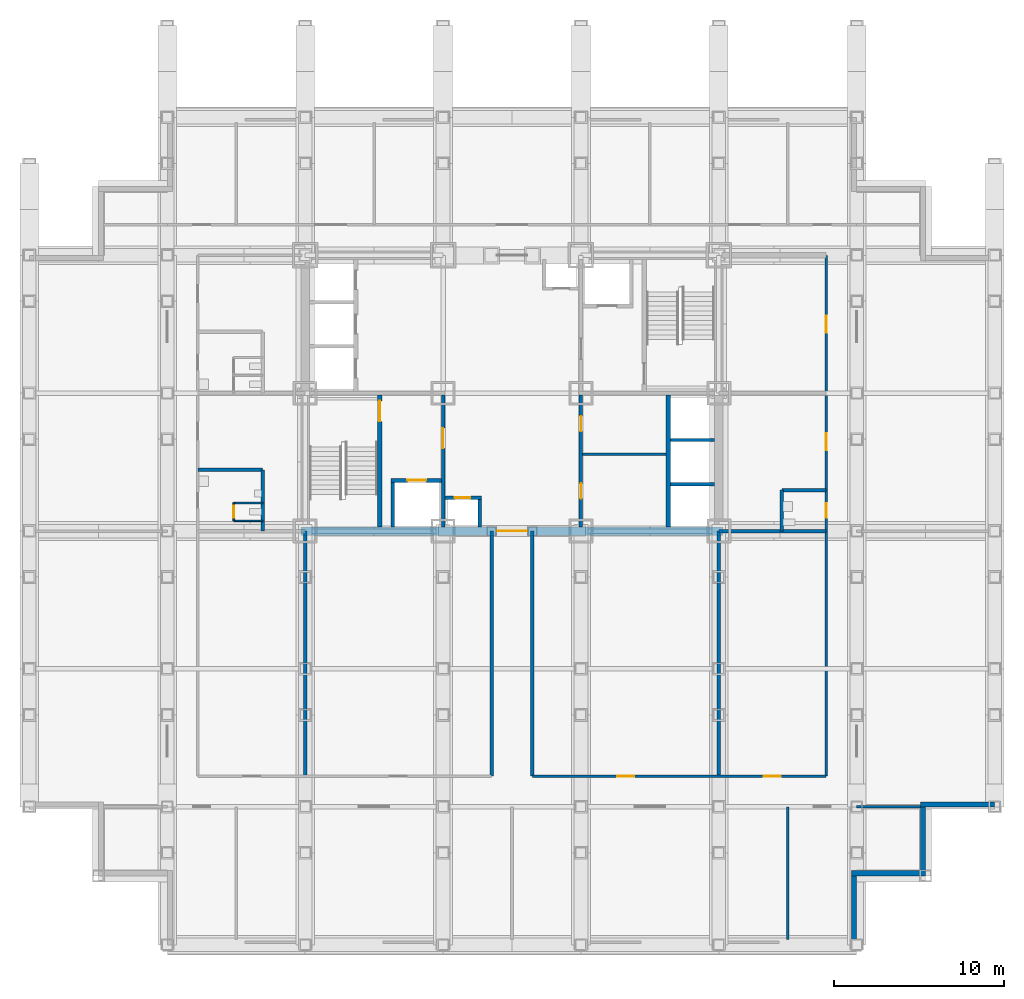
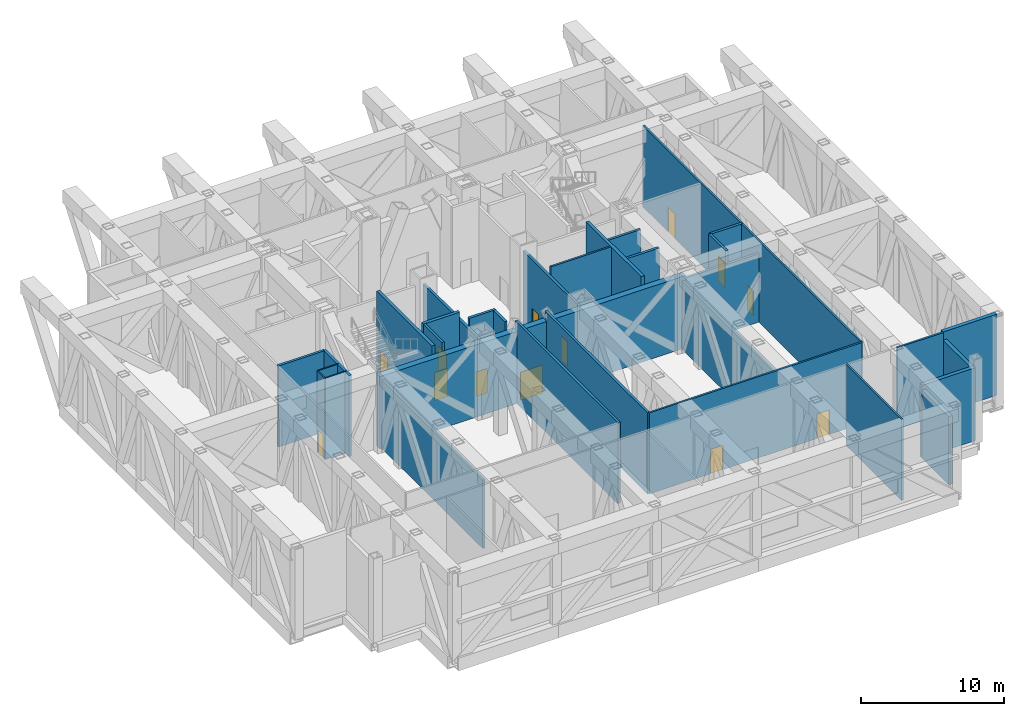
# One storey, part 8 of 13: 32 walls, 13 doors, 13 openings.
"""IFC4 building model written with IfcOpenShell, lengths in metres."""

from ifc_helpers import new_model, si_unit, direction, frame, frame_2d, origin, place, context, subcontext, project, spatial, rectangle, extrude, material, layer, layer_set, type_object, element, fill, save


model = new_model("IFC4")

# Units and contexts
model_context = context("Model", 3, precision=1e-05, world=origin(), true_north=direction((0.0, 1.0)))
body_context = subcontext(model_context, "Body", "Model", "MODEL_VIEW")
ifc_project = project(units=[si_unit("LENGTHUNIT", "METRE"), si_unit("AREAUNIT", "SQUARE_METRE"), si_unit("VOLUMEUNIT", "CUBIC_METRE"), si_unit("PLANEANGLEUNIT", "RADIAN"), si_unit("MASSUNIT", "GRAM", prefix="KILO")], contexts=[model_context])

# Site, building, storey
site_placement = place(None, origin())
site = spatial("IfcSite", under=ifc_project, at=site_placement, CompositionType="ELEMENT")
building_placement = place(site_placement, origin())
building = spatial("IfcBuilding", under=site, at=building_placement, Name="Kopane Lantern Tower", CompositionType="ELEMENT")
storey_placement = place(building_placement, frame((0.0, 0.0, 90.800048828125)))
storey = spatial("IfcBuildingStorey", under=building, at=storey_placement, Name="L23", CompositionType="ELEMENT", Elevation=90.800048828125)

# Wall, opening, door
ifc_material_1 = material(Name="Moisture-resistant board on steel studs", Category="steel")
ifc_layer_1 = layer(ifc_material_1, 0.10009765625)
ifc_layer_set_1 = layer_set([ifc_layer_1], Name="BATHROOM WALL 100")
wall_type_1 = type_object("IfcWallType", Name="BATHROOM WALL 100", PredefinedType="PARTITIONING", material=ifc_layer_set_1)
wall_1_placement = place(storey_placement, frame((12.0, 24.89990234375, 0.0), z_axis=(0.0, 0.0, 1.0), x_axis=(0.0, 1.0, 0.0)))
wall_1 = element("IfcWall", 1, at=wall_1_placement, inside=storey, type_object=wall_type_1, Name="Bathroom Wall 100 L23", PredefinedType="PARTITIONING", context=body_context, shape_type="SweptSolid", body=[
    extrude(rectangle(XDim=1.050048828125, YDim=0.10009765625, at=frame_2d((0.52490234375, 0.0))), origin(), (0.0, 0.0, 1.0), 6.949951171875),
])
opening_1_placement = place(wall_1_placement, frame((0.175048828125, 0.0, 0.0)))
opening_1 = element("IfcOpeningElement", 2, at=opening_1_placement, cuts=wall_1, Name="Opening L23-025", PredefinedType="OPENING", context=body_context, shape_type="SweptSolid", body=[
    extrude(rectangle(XDim=0.699951171875, YDim=2.0, at=frame_2d((0.35009765625, 1.0))), frame((0.0, 0.06005859375, 0.0), z_axis=(0.0, -1.0, 0.0), x_axis=(1.0, 0.0, 0.0)), (0.0, 0.0, 1.0), 0.1201171875),
])
ifc_material_2 = material(Name="Timber door set", Category="wood")
door_type_1 = type_object("IfcDoorType", Name="DOOR D13 700x2000 WC CUBICLE", OperationType="SINGLE_SWING_LEFT", PredefinedType="DOOR", material=ifc_material_2)
door_1_placement = place(opening_1_placement, origin())
door_1 = element("IfcDoor", 3, at=door_1_placement, inside=storey, type_object=door_type_1, Name="Door L23-025", OperationType="SINGLE_SWING_LEFT", OverallHeight=2.0, OverallWidth=0.699951171875, PredefinedType="DOOR", context=body_context, shape_type="SweptSolid", body=[
    extrude(rectangle(XDim=0.699951171875, YDim=2.0, at=frame_2d((0.35009765625, 1.0))), frame((0.0, 0.02490234375, 0.0), z_axis=(0.0, -1.0, 0.0), x_axis=(1.0, 0.0, 0.0)), (0.0, 0.0, 1.0), 0.050048828125),
])
fill(opening_1, door_1)

# Walls
for number, where, z_axis, x_axis, name in (
    (4, (12.0, 24.89990234375, 0.0), (0.0, 0.0, 1.0), (1.0, 0.0, 0.0), "Bathroom Wall 100 L23"),
    (5, (12.0, 25.949951171875, 0.0), (0.0, 0.0, 1.0), (1.0, 0.0, 0.0), "Bathroom Wall 100 L23"),
):
    element("IfcWall", number, at=place(storey_placement, frame(where, z_axis=z_axis, x_axis=x_axis)), inside=storey, type_object=wall_type_1, Name=name, PredefinedType="PARTITIONING", context=body_context, shape_type="SweptSolid", body=[
        extrude(rectangle(XDim=1.699951171875, YDim=0.10009765625, at=frame_2d((0.85009765625, 0.0))), origin(), (0.0, 0.0, 1.0), 6.949951171875),
    ])

# Wall, opening, door
ifc_material_3 = material(Name="Gypsum shaft wall EI 120", Category="gypsum")
ifc_layer_2 = layer(ifc_material_3, 0.5)
ifc_layer_set_2 = layer_set([ifc_layer_2], Name="CORE PERIMETER WALL 500 EI 120")
wall_type_2 = type_object("IfcWallType", Name="CORE PERIMETER WALL 500 EI 120", PredefinedType="SOLIDWALL", material=ifc_layer_set_2)
wall_2_placement = place(storey_placement, frame((15.949951171875, 24.300048828125, 0.0), z_axis=(0.0, 0.0, 1.0), x_axis=(1.0, 0.0, 0.0)))
wall_2 = element("IfcWall", 6, at=wall_2_placement, inside=storey, type_object=wall_type_2, Name="Core shaft wall L23 PS", PredefinedType="SOLIDWALL", context=body_context, shape_type="SweptSolid", body=[
    extrude(rectangle(XDim=24.800048828125, YDim=0.5, at=frame_2d((12.39990234375, 0.0))), origin(), (0.0, 0.0, 1.0), 6.187744140625),
])
opening_2_placement = place(wall_2_placement, frame((11.5, 0.0, 0.0)))
opening_2 = element("IfcOpeningElement", 7, at=opening_2_placement, cuts=wall_2, Name="Opening 23.CE-S", PredefinedType="OPENING", context=body_context, shape_type="SweptSolid", body=[
    extrude(rectangle(XDim=1.800048828125, YDim=2.39990234375, at=frame_2d((0.89990234375, 1.199951171875))), frame((0.0, 0.260009765625, 0.0), z_axis=(0.0, -1.0, 0.0), x_axis=(1.0, 0.0, 0.0)), (0.0, 0.0, 1.0), 0.52001953125),
])
ifc_material_4 = material(Name="Steel door set", Category="steel")
door_type_2 = type_object("IfcDoorType", Name="CORE ENTRY DOOR 1800x2400 FD60S", OperationType="DOUBLE_DOOR_SINGLE_SWING", PredefinedType="DOOR", material=ifc_material_4)
door_2_placement = place(opening_2_placement, origin())
door_2 = element("IfcDoor", 8, at=door_2_placement, inside=storey, type_object=door_type_2, Name="Core entry door L23 south", OperationType="DOUBLE_DOOR_SINGLE_SWING", OverallHeight=2.39990234375, OverallWidth=1.800048828125, PredefinedType="DOOR", context=body_context, shape_type="SweptSolid", body=[
    extrude(rectangle(XDim=1.800048828125, YDim=2.39990234375, at=frame_2d((0.89990234375, 1.199951171875))), frame((0.0, 0.02490234375, 0.0), z_axis=(0.0, -1.0, 0.0), x_axis=(1.0, 0.0, 0.0)), (0.0, 0.0, 1.0), 0.050048828125),
])
fill(opening_2, door_2)

# Wall
ifc_material_5 = material(Name="Gypsum partition EI 60", Category="gypsum")
ifc_layer_3 = layer(ifc_material_5, 0.14990234375)
ifc_layer_set_3 = layer_set([ifc_layer_3], Name="CORE ROOM PARTITION 150 EI 60")
wall_type_3 = type_object("IfcWallType", Name="CORE ROOM PARTITION 150 EI 60", PredefinedType="PARTITIONING", material=ifc_layer_set_3)
wall_3_placement = place(storey_placement, frame((32.5, 28.824951171875, 0.0), z_axis=(0.0, 0.0, 1.0), x_axis=(1.0, 0.0, 0.0)))
element("IfcWall", 9, at=wall_3_placement, inside=storey, type_object=wall_type_3, Name="Core room partition L23 E1", PredefinedType="PARTITIONING", context=body_context, shape_type="SweptSolid", body=[
    extrude(rectangle(XDim=4.89990234375, YDim=0.14990234375, at=frame_2d((2.449951171875, 0.0))), origin(), (0.0, 0.0, 1.0), 6.949951171875),
])

# Wall, openings, doors
ifc_material_6 = material(Name="Gypsum partition EI 60", Category="gypsum")
ifc_layer_4 = layer(ifc_material_6, 0.199951171875)
ifc_layer_set_4 = layer_set([ifc_layer_4], Name="CORE ROOM WALL 200 EI 60")
wall_type_4 = type_object("IfcWallType", Name="CORE ROOM WALL 200 EI 60", PredefinedType="PARTITIONING", material=ifc_layer_set_4)
wall_4_placement = place(storey_placement, frame((32.39990234375, 24.550048828125, 0.0), z_axis=(0.0, 0.0, 1.0), x_axis=(0.0, 1.0, 0.0)))
wall_4 = element("IfcWall", 10, at=wall_4_placement, inside=storey, type_object=wall_type_4, Name="Core room wall L23 XE", PredefinedType="PARTITIONING", context=body_context, shape_type="SweptSolid", body=[
    extrude(rectangle(XDim=7.75, YDim=0.199951171875, at=frame_2d((3.875, 0.0))), origin(), (0.0, 0.0, 1.0), 6.25),
])
opening_3_placement = place(wall_4_placement, frame((1.64990234375, 0.0, 0.0)))
opening_3 = element("IfcOpeningElement", 11, at=opening_3_placement, cuts=wall_4, Name="Opening 23.C20", PredefinedType="OPENING", context=body_context, shape_type="SweptSolid", body=[
    extrude(rectangle(XDim=0.89990234375, YDim=2.10009765625, at=frame_2d((0.449951171875, 1.050048828125))), frame((0.0, 0.10986328125, 0.0), z_axis=(0.0, -1.0, 0.0), x_axis=(1.0, 0.0, 0.0)), (0.0, 0.0, 1.0), 0.219970703125),
])
opening_4_placement = place(wall_4_placement, frame((5.60009765625, 0.0, 0.0)))
opening_4 = element("IfcOpeningElement", 12, at=opening_4_placement, cuts=wall_4, Name="Opening 23.C21", PredefinedType="OPENING", context=body_context, shape_type="SweptSolid", body=[
    extrude(rectangle(XDim=0.89990234375, YDim=2.10009765625, at=frame_2d((0.449951171875, 1.050048828125))), frame((0.0, 0.10986328125, 0.0), z_axis=(0.0, -1.0, 0.0), x_axis=(1.0, 0.0, 0.0)), (0.0, 0.0, 1.0), 0.219970703125),
])
ifc_material_7 = material(Name="Steel door set", Category="steel")
door_type_3 = type_object("IfcDoorType", Name="CORE ROOM DOOR 900x2100 FD60", OperationType="SINGLE_SWING_LEFT", PredefinedType="DOOR", material=ifc_material_7)
door_3_placement = place(opening_3_placement, origin())
door_3 = element("IfcDoor", 13, at=door_3_placement, inside=storey, type_object=door_type_3, Name="Door Mechanical plant room L23", OperationType="SINGLE_SWING_LEFT", OverallHeight=2.10009765625, OverallWidth=0.89990234375, PredefinedType="DOOR", context=body_context, shape_type="SweptSolid", body=[
    extrude(rectangle(XDim=0.89990234375, YDim=2.10009765625, at=frame_2d((0.449951171875, 1.050048828125))), frame((0.0, 0.02490234375, 0.0), z_axis=(0.0, -1.0, 0.0), x_axis=(1.0, 0.0, 0.0)), (0.0, 0.0, 1.0), 0.050048828125),
])
fill(opening_3, door_3)
door_4_placement = place(opening_4_placement, origin())
door_4 = element("IfcDoor", 14, at=door_4_placement, inside=storey, type_object=door_type_3, Name="Door Spare parts store L23", OperationType="SINGLE_SWING_LEFT", OverallHeight=2.10009765625, OverallWidth=0.89990234375, PredefinedType="DOOR", context=body_context, shape_type="SweptSolid", body=[
    extrude(rectangle(XDim=0.89990234375, YDim=2.10009765625, at=frame_2d((0.449951171875, 1.050048828125))), frame((0.0, 0.02490234375, 0.0), z_axis=(0.0, -1.0, 0.0), x_axis=(1.0, 0.0, 0.0)), (0.0, 0.0, 1.0), 0.050048828125),
])
fill(opening_4, door_4)

# Wall, opening, door
ifc_material_8 = material(Name="Gypsum shaft wall EI 120", Category="gypsum")
ifc_layer_5 = layer(ifc_material_8, 0.25)
ifc_layer_set_5 = layer_set([ifc_layer_5], Name="CORE SHAFT WALL 250 EI 120")
wall_type_5 = type_object("IfcWallType", Name="CORE SHAFT WALL 250 EI 120", PredefinedType="SOLIDWALL", material=ifc_layer_set_5)
wall_5_placement = place(storey_placement, frame((20.574951171875, 24.550048828125, 0.0), z_axis=(0.0, 0.0, 1.0), x_axis=(0.0, 1.0, 0.0)))
wall_5 = element("IfcWall", 15, at=wall_5_placement, inside=storey, type_object=wall_type_5, Name="Core shaft wall L23 XST1", PredefinedType="SOLIDWALL", context=body_context, shape_type="SweptSolid", body=[
    extrude(rectangle(XDim=7.75, YDim=0.25, at=frame_2d((3.875, 0.0))), origin(), (0.0, 0.0, 1.0), 6.949951171875),
])
opening_5_placement = place(wall_5_placement, frame((6.199951171875, 0.0, 0.0)))
opening_5 = element("IfcOpeningElement", 16, at=opening_5_placement, cuts=wall_5, Name="Opening 23.SD1", PredefinedType="OPENING", context=body_context, shape_type="SweptSolid", body=[
    extrude(rectangle(XDim=1.199951171875, YDim=2.10009765625, at=frame_2d((0.60009765625, 1.050048828125))), frame((0.0, 0.135009765625, 0.0), z_axis=(0.0, -1.0, 0.0), x_axis=(1.0, 0.0, 0.0)), (0.0, 0.0, 1.0), 0.27001953125),
])
ifc_material_9 = material(Name="Steel door set", Category="steel")
door_type_4 = type_object("IfcDoorType", Name="STAIR DOOR 1200x2100 FD60S", OperationType="SINGLE_SWING_LEFT", PredefinedType="DOOR", material=ifc_material_9)
door_5_placement = place(opening_5_placement, origin())
door_5 = element("IfcDoor", 17, at=door_5_placement, inside=storey, type_object=door_type_4, Name="Stair door ST1 L23", OperationType="SINGLE_SWING_LEFT", OverallHeight=2.10009765625, OverallWidth=1.199951171875, PredefinedType="DOOR", context=body_context, shape_type="SweptSolid", body=[
    extrude(rectangle(XDim=1.199951171875, YDim=2.10009765625, at=frame_2d((0.60009765625, 1.050048828125))), frame((0.0, 0.02490234375, 0.0), z_axis=(0.0, -1.0, 0.0), x_axis=(1.0, 0.0, 0.0)), (0.0, 0.0, 1.0), 0.050048828125),
])
fill(opening_5, door_5)

wall_6_placement = place(storey_placement, frame((21.25, 27.27490234375, 0.0), z_axis=(0.0, 0.0, 1.0), x_axis=(1.0, 0.0, 0.0)))
wall_6 = element("IfcWall", 18, at=wall_6_placement, inside=storey, type_object=wall_type_5, Name="Core shaft wall L23 YLF1", PredefinedType="SOLIDWALL", context=body_context, shape_type="SweptSolid", body=[
    extrude(rectangle(XDim=2.949951171875, YDim=0.25, at=frame_2d((1.47509765625, 0.0))), origin(), (0.0, 0.0, 1.0), 6.949951171875),
])
opening_6_placement = place(wall_6_placement, frame((0.949951171875, 0.0, 0.0)))
opening_6 = element("IfcOpeningElement", 19, at=opening_6_placement, cuts=wall_6, Name="Opening 23.LD-LF1", PredefinedType="OPENING", context=body_context, shape_type="SweptSolid", body=[
    extrude(rectangle(XDim=1.10009765625, YDim=2.39990234375, at=frame_2d((0.550048828125, 1.199951171875))), frame((0.0, 0.135009765625, 0.0), z_axis=(0.0, -1.0, 0.0), x_axis=(1.0, 0.0, 0.0)), (0.0, 0.0, 1.0), 0.27001953125),
])
ifc_material_10 = material(Name="Steel door set", Category="steel")
door_type_5 = type_object("IfcDoorType", Name="LIFT LANDING DOOR 1100x2400 FD60", OperationType="DOUBLE_DOOR_SLIDING", PredefinedType="DOOR", material=ifc_material_10)
door_6_placement = place(opening_6_placement, origin())
door_6 = element("IfcDoor", 20, at=door_6_placement, inside=storey, type_object=door_type_5, Name="Landing door LF1 L23", OperationType="DOUBLE_DOOR_SLIDING", OverallHeight=2.39990234375, OverallWidth=1.10009765625, PredefinedType="DOOR", context=body_context, shape_type="SweptSolid", body=[
    extrude(rectangle(XDim=1.10009765625, YDim=2.39990234375, at=frame_2d((0.550048828125, 1.199951171875))), frame((0.0, 0.02490234375, 0.0), z_axis=(0.0, -1.0, 0.0), x_axis=(1.0, 0.0, 0.0)), (0.0, 0.0, 1.0), 0.050048828125),
])
fill(opening_6, door_6)

# Wall
wall_7_placement = place(storey_placement, frame((37.52490234375, 24.550048828125, 0.0), z_axis=(0.0, 0.0, 1.0), x_axis=(0.0, 1.0, 0.0)))
element("IfcWall", 21, at=wall_7_placement, inside=storey, type_object=wall_type_5, Name="Core shaft wall L23 XLR", PredefinedType="SOLIDWALL", context=body_context, shape_type="SweptSolid", body=[
    extrude(rectangle(XDim=7.75, YDim=0.25, at=frame_2d((3.875, 0.0))), origin(), (0.0, 0.0, 1.0), 6.949951171875),
])

# Wall, openings, doors
ifc_material_11 = material(Name="Gypsum board on steel studs", Category="steel")
ifc_layer_6 = layer(ifc_material_11, 0.14990234375)
ifc_layer_set_6 = layer_set([ifc_layer_6], Name="CORRIDOR WALL 150 EI 60")
wall_type_6 = type_object("IfcWallType", Name="CORRIDOR WALL 150 EI 60", PredefinedType="PARTITIONING", material=ifc_layer_set_6)
wall_8_placement = place(storey_placement, frame((46.800048828125, 9.89990234375, 0.0), z_axis=(0.0, 0.0, 1.0), x_axis=(0.0, 1.0, 0.0)))
wall_8 = element("IfcWall", 22, at=wall_8_placement, inside=storey, type_object=wall_type_6, Name="Corridor Wall 150 Ei 60 L23", PredefinedType="PARTITIONING", context=body_context, shape_type="SweptSolid", body=[
    extrude(rectangle(XDim=30.60009765625, YDim=0.14990234375, at=frame_2d((15.300048828125, 0.0))), origin(), (0.0, 0.0, 1.0), 6.949951171875),
])
opening_7_placement = place(wall_8_placement, frame((15.175048828125, 0.0, 0.0)))
opening_7 = element("IfcOpeningElement", 23, at=opening_7_placement, cuts=wall_8, Name="Opening L23-005", PredefinedType="OPENING", context=body_context, shape_type="SweptSolid", body=[
    extrude(rectangle(XDim=0.85009765625, YDim=2.10009765625, at=frame_2d((0.425048828125, 1.050048828125))), frame((0.0, 0.0849609375, 0.0), z_axis=(0.0, -1.0, 0.0), x_axis=(1.0, 0.0, 0.0)), (0.0, 0.0, 1.0), 0.169921875),
])
opening_8_placement = place(wall_8_placement, frame((19.14990234375, 0.0, 0.0)))
opening_8 = element("IfcOpeningElement", 24, at=opening_8_placement, cuts=wall_8, Name="Opening L23-006", PredefinedType="OPENING", context=body_context, shape_type="SweptSolid", body=[
    extrude(rectangle(XDim=1.0, YDim=2.10009765625, at=frame_2d((0.5, 1.050048828125))), frame((0.0, 0.0849609375, 0.0), z_axis=(0.0, -1.0, 0.0), x_axis=(1.0, 0.0, 0.0)), (0.0, 0.0, 1.0), 0.169921875),
])
opening_9_placement = place(wall_8_placement, frame((26.050048828125, 0.0, 0.0)))
opening_9 = element("IfcOpeningElement", 25, at=opening_9_placement, cuts=wall_8, Name="Opening L23-007", PredefinedType="OPENING", context=body_context, shape_type="SweptSolid", body=[
    extrude(rectangle(XDim=1.0, YDim=2.10009765625, at=frame_2d((0.5, 1.050048828125))), frame((0.0, 0.0849609375, 0.0), z_axis=(0.0, -1.0, 0.0), x_axis=(1.0, 0.0, 0.0)), (0.0, 0.0, 1.0), 0.169921875),
])
ifc_material_12 = material(Name="Timber door set", Category="wood")
door_type_6 = type_object("IfcDoorType", Name="DOOR D4 850x2100", OperationType="SINGLE_SWING_LEFT", PredefinedType="DOOR", material=ifc_material_12)
door_7_placement = place(opening_7_placement, origin())
door_7 = element("IfcDoor", 26, at=door_7_placement, inside=storey, type_object=door_type_6, Name="Door L23-005", OperationType="SINGLE_SWING_LEFT", OverallHeight=2.10009765625, OverallWidth=0.85009765625, PredefinedType="DOOR", context=body_context, shape_type="SweptSolid", body=[
    extrude(rectangle(XDim=0.85009765625, YDim=2.10009765625, at=frame_2d((0.425048828125, 1.050048828125))), frame((0.0, 0.02490234375, 0.0), z_axis=(0.0, -1.0, 0.0), x_axis=(1.0, 0.0, 0.0)), (0.0, 0.0, 1.0), 0.050048828125),
])
fill(opening_7, door_7)
ifc_material_13 = material(Name="Steel door set", Category="steel")
door_type_7 = type_object("IfcDoorType", Name="DOOR D5 1000x2100 FD60", OperationType="SINGLE_SWING_LEFT", PredefinedType="DOOR", material=ifc_material_13)
door_8_placement = place(opening_8_placement, origin())
door_8 = element("IfcDoor", 27, at=door_8_placement, inside=storey, type_object=door_type_7, Name="Door L23-006", OperationType="SINGLE_SWING_RIGHT", OverallHeight=2.10009765625, OverallWidth=1.0, PredefinedType="DOOR", context=body_context, shape_type="SweptSolid", body=[
    extrude(rectangle(XDim=1.0, YDim=2.10009765625, at=frame_2d((0.5, 1.050048828125))), frame((0.0, 0.02490234375, 0.0), z_axis=(0.0, -1.0, 0.0), x_axis=(1.0, 0.0, 0.0)), (0.0, 0.0, 1.0), 0.050048828125),
])
fill(opening_8, door_8)
door_9_placement = place(opening_9_placement, origin())
door_9 = element("IfcDoor", 28, at=door_9_placement, inside=storey, type_object=door_type_7, Name="Door L23-007", OperationType="SINGLE_SWING_LEFT", OverallHeight=2.10009765625, OverallWidth=1.0, PredefinedType="DOOR", context=body_context, shape_type="SweptSolid", body=[
    extrude(rectangle(XDim=1.0, YDim=2.10009765625, at=frame_2d((0.5, 1.050048828125))), frame((0.0, 0.02490234375, 0.0), z_axis=(0.0, -1.0, 0.0), x_axis=(1.0, 0.0, 0.0)), (0.0, 0.0, 1.0), 0.050048828125),
])
fill(opening_9, door_9)

wall_9_placement = place(storey_placement, frame((29.56005859375, 9.89990234375, 0.0), z_axis=(0.0, 0.0, 1.0), x_axis=(1.0, 0.0, 0.0)))
wall_9 = element("IfcWall", 29, at=wall_9_placement, inside=storey, type_object=wall_type_6, Name="Corridor Wall 150 Ei 60 L23", PredefinedType="PARTITIONING", context=body_context, shape_type="SweptSolid", body=[
    extrude(rectangle(XDim=17.239990234375, YDim=0.14990234375, at=frame_2d((8.6201171875, 0.0))), origin(), (0.0, 0.0, 1.0), 6.949951171875),
])
opening_10_placement = place(wall_9_placement, frame((4.965087890625, 0.0, 0.0)))
opening_10 = element("IfcOpeningElement", 30, at=opening_10_placement, cuts=wall_9, Name="Opening L23-010", PredefinedType="OPENING", context=body_context, shape_type="SweptSolid", body=[
    extrude(rectangle(XDim=1.0, YDim=2.10009765625, at=frame_2d((0.5, 1.050048828125))), frame((0.0, 0.0849609375, 0.0), z_axis=(0.0, -1.0, 0.0), x_axis=(1.0, 0.0, 0.0)), (0.0, 0.0, 1.0), 0.169921875),
])
opening_11_placement = place(wall_9_placement, frame((13.590087890625, 0.0, 0.0)))
opening_11 = element("IfcOpeningElement", 31, at=opening_11_placement, cuts=wall_9, Name="Opening L23-011", PredefinedType="OPENING", context=body_context, shape_type="SweptSolid", body=[
    extrude(rectangle(XDim=1.0, YDim=2.10009765625, at=frame_2d((0.5, 1.050048828125))), frame((0.0, 0.0849609375, 0.0), z_axis=(0.0, -1.0, 0.0), x_axis=(1.0, 0.0, 0.0)), (0.0, 0.0, 1.0), 0.169921875),
])
door_10_placement = place(opening_10_placement, origin())
door_10 = element("IfcDoor", 32, at=door_10_placement, inside=storey, type_object=door_type_7, Name="Door L23-010", OperationType="SINGLE_SWING_LEFT", OverallHeight=2.10009765625, OverallWidth=1.0, PredefinedType="DOOR", context=body_context, shape_type="SweptSolid", body=[
    extrude(rectangle(XDim=1.0, YDim=2.10009765625, at=frame_2d((0.5, 1.050048828125))), frame((0.0, 0.02490234375, 0.0), z_axis=(0.0, -1.0, 0.0), x_axis=(1.0, 0.0, 0.0)), (0.0, 0.0, 1.0), 0.050048828125),
])
fill(opening_10, door_10)
door_11_placement = place(opening_11_placement, origin())
door_11 = element("IfcDoor", 33, at=door_11_placement, inside=storey, type_object=door_type_7, Name="Door L23-011", OperationType="SINGLE_SWING_RIGHT", OverallHeight=2.10009765625, OverallWidth=1.0, PredefinedType="DOOR", context=body_context, shape_type="SweptSolid", body=[
    extrude(rectangle(XDim=1.0, YDim=2.10009765625, at=frame_2d((0.5, 1.050048828125))), frame((0.0, 0.02490234375, 0.0), z_axis=(0.0, -1.0, 0.0), x_axis=(1.0, 0.0, 0.0)), (0.0, 0.0, 1.0), 0.050048828125),
])
fill(opening_11, door_11)

# Walls
ifc_material_14 = material(Name="Gypsum board on steel studs", Category="steel")
ifc_layer_7 = layer(ifc_material_14, 0.14990234375)
ifc_layer_set_7 = layer_set([ifc_layer_7], Name="DEMISING WALL 150 EI 60")
wall_type_7 = type_object("IfcWallType", Name="DEMISING WALL 150 EI 60", PredefinedType="PARTITIONING", material=ifc_layer_set_7)
wall_10_placement = place(storey_placement, frame((48.60009765625, 8.10009765625, 0.0), z_axis=(0.0, 0.0, 1.0), x_axis=(1.0, 0.0, 0.0)))
element("IfcWall", 34, at=wall_10_placement, inside=storey, type_object=wall_type_7, Name="Demising Wall 150 Ei 60 L23", PredefinedType="PARTITIONING", context=body_context, shape_type="SweptSolid", body=[
    extrude(rectangle(XDim=3.75, YDim=0.14990234375, at=frame_2d((1.875, 0.0))), origin(), (0.0, 0.0, 1.0), 6.949951171875),
])
wall_11_placement = place(storey_placement, frame((44.550048828125, 8.10009765625, 0.0), z_axis=(0.0, 0.0, 1.0), x_axis=(0.0, -1.0, 0.0)))
element("IfcWall", 35, at=wall_11_placement, inside=storey, type_object=wall_type_7, Name="Demising Wall 150 Ei 60 L23", PredefinedType="PARTITIONING", context=body_context, shape_type="SweptSolid", body=[
    extrude(rectangle(XDim=7.800048828125, YDim=0.14990234375, at=frame_2d((3.89990234375, 0.0))), origin(), (0.0, 0.0, 1.0), 6.949951171875),
])
ifc_material_15 = material(Name="Terracotta rainscreen on light steel framing", Category="masonry")
ifc_layer_8 = layer(ifc_material_15, 0.300048828125)
ifc_layer_set_8 = layer_set([ifc_layer_8], Name="EXTERNAL WALL EW1 300 TERRACOTTA")
wall_type_8 = type_object("IfcWallType", Name="EXTERNAL WALL EW1 300 TERRACOTTA", PredefinedType="SOLIDWALL", material=ifc_layer_set_8)
wall_12_placement = place(storey_placement, frame((48.449951171875, 0.300048828125, 0.0), z_axis=(0.0, 0.0, 1.0), x_axis=(0.0, 1.0, 0.0)))
element("IfcWall", 36, at=wall_12_placement, inside=storey, type_object=wall_type_8, Name="External wall E L23", PredefinedType="SOLIDWALL", context=body_context, shape_type="SweptSolid", body=[
    extrude(rectangle(XDim=3.75, YDim=0.300048828125, at=frame_2d((1.875, 0.0))), origin(), (0.0, 0.0, 1.0), 5.849853515625),
])
wall_13_placement = place(storey_placement, frame((48.300048828125, 4.199951171875, 0.0), z_axis=(0.0, 0.0, 1.0), x_axis=(1.0, 0.0, 0.0)))
element("IfcWall", 37, at=wall_13_placement, inside=storey, type_object=wall_type_8, Name="External wall S L23", PredefinedType="SOLIDWALL", context=body_context, shape_type="SweptSolid", body=[
    extrude(rectangle(XDim=4.349853515625, YDim=0.300048828125, at=frame_2d((2.1748046875, 0.0))), origin(), (0.0, 0.0, 1.0), 6.25),
])
wall_14_placement = place(storey_placement, frame((52.5, 4.35009765625, 0.0), z_axis=(0.0, 0.0, 1.0), x_axis=(0.0, 1.0, 0.0)))
element("IfcWall", 38, at=wall_14_placement, inside=storey, type_object=wall_type_8, Name="External wall E L23", PredefinedType="SOLIDWALL", context=body_context, shape_type="SweptSolid", body=[
    extrude(rectangle(XDim=3.75, YDim=0.300048828125, at=frame_2d((1.875, 0.0))), origin(), (0.0, 0.0, 1.0), 6.25),
])
wall_15_placement = place(storey_placement, frame((52.35009765625, 8.25, 0.0), z_axis=(0.0, 0.0, 1.0), x_axis=(1.0, 0.0, 0.0)))
element("IfcWall", 39, at=wall_15_placement, inside=storey, type_object=wall_type_8, Name="External wall S L23", PredefinedType="SOLIDWALL", context=body_context, shape_type="SweptSolid", body=[
    extrude(rectangle(XDim=4.349853515625, YDim=0.300048828125, at=frame_2d((2.1748046875, 0.0))), origin(), (0.0, 0.0, 1.0), 6.949951171875),
])
ifc_material_16 = material(Name="Concrete masonry", Category="masonry")
ifc_layer_9 = layer(ifc_material_16, 0.199951171875)
ifc_layer_set_9 = layer_set([ifc_layer_9], Name="PLANT ROOM WALL 200 EI 120")
wall_type_9 = type_object("IfcWallType", Name="PLANT ROOM WALL 200 EI 120", PredefinedType="SOLIDWALL", material=ifc_layer_set_9)
wall_16_placement = place(storey_placement, frame((9.89990234375, 27.89990234375, 0.0), z_axis=(0.0, 0.0, 1.0), x_axis=(1.0, 0.0, 0.0)))
element("IfcWall", 40, at=wall_16_placement, inside=storey, type_object=wall_type_9, Name="Plant Room Wall 200 Ei 120 L23", PredefinedType="SOLIDWALL", context=body_context, shape_type="SweptSolid", body=[
    extrude(rectangle(XDim=3.800048828125, YDim=0.199951171875, at=frame_2d((1.89990234375, 0.0))), origin(), (0.0, 0.0, 1.0), 6.949951171875),
])
wall_17_placement = place(storey_placement, frame((13.699951171875, 24.300048828125, 0.0), z_axis=(0.0, 0.0, 1.0), x_axis=(0.0, 1.0, 0.0)))
element("IfcWall", 41, at=wall_17_placement, inside=storey, type_object=wall_type_9, Name="Plant Room Wall 200 Ei 120 L23", PredefinedType="SOLIDWALL", context=body_context, shape_type="SweptSolid", body=[
    extrude(rectangle(XDim=3.599853515625, YDim=0.199951171875, at=frame_2d((1.7998046875, 0.0))), origin(), (0.0, 0.0, 1.0), 6.949951171875),
])
wall_18_placement = place(storey_placement, frame((46.800048828125, 26.699951171875, 0.0), z_axis=(0.0, 0.0, 1.0), x_axis=(-1.0, 0.0, 0.0)))
element("IfcWall", 42, at=wall_18_placement, inside=storey, type_object=wall_type_9, Name="Plant Room Wall 200 Ei 120 L23", PredefinedType="SOLIDWALL", context=body_context, shape_type="SweptSolid", body=[
    extrude(rectangle(XDim=2.60009765625, YDim=0.199951171875, at=frame_2d((1.300048828125, 0.0))), origin(), (0.0, 0.0, 1.0), 6.949951171875),
])
wall_19_placement = place(storey_placement, frame((44.199951171875, 24.300048828125, 0.0), z_axis=(0.0, 0.0, 1.0), x_axis=(0.0, 1.0, 0.0)))
element("IfcWall", 43, at=wall_19_placement, inside=storey, type_object=wall_type_9, Name="Plant Room Wall 200 Ei 120 L23", PredefinedType="SOLIDWALL", context=body_context, shape_type="SweptSolid", body=[
    extrude(rectangle(XDim=2.39990234375, YDim=0.199951171875, at=frame_2d((1.199951171875, 0.0))), origin(), (0.0, 0.0, 1.0), 6.949951171875),
])
for number, where, z_axis, x_axis, name in (
    (44, (16.199951171875, 9.89990234375, 0.0), (0.0, 0.0, 1.0), (0.0, 1.0, 0.0), "Plant Room Wall 200 Ei 120 L23"),
    (45, (40.5, 9.89990234375, 0.0), (0.0, 0.0, 1.0), (0.0, 1.0, 0.0), "Plant Room Wall 200 Ei 120 L23"),
):
    element("IfcWall", number, at=place(storey_placement, frame(where, z_axis=z_axis, x_axis=x_axis)), inside=storey, type_object=wall_type_9, Name=name, PredefinedType="SOLIDWALL", context=body_context, shape_type="SweptSolid", body=[
        extrude(rectangle(XDim=14.400146484375, YDim=0.199951171875, at=frame_2d((7.2001953125, 0.0))), origin(), (0.0, 0.0, 1.0), 5.849853515625),
    ])
for number, where, z_axis, x_axis, name in (
    (46, (27.14990234375, 9.89990234375, 0.0), (0.0, 0.0, 1.0), (0.0, 1.0, 0.0), "Plant Room Wall 200 Ei 120 L23"),
    (47, (29.550048828125, 9.89990234375, 0.0), (0.0, 0.0, 1.0), (0.0, 1.0, 0.0), "Plant Room Wall 200 Ei 120 L23"),
):
    element("IfcWall", number, at=place(storey_placement, frame(where, z_axis=z_axis, x_axis=x_axis)), inside=storey, type_object=wall_type_9, Name=name, PredefinedType="SOLIDWALL", context=body_context, shape_type="SweptSolid", body=[
        extrude(rectangle(XDim=14.400146484375, YDim=0.199951171875, at=frame_2d((7.2001953125, 0.0))), origin(), (0.0, 0.0, 1.0), 6.949951171875),
    ])
wall_20_placement = place(storey_placement, frame((40.5, 24.300048828125, 0.0), z_axis=(0.0, 0.0, 1.0), x_axis=(1.0, 0.0, 0.0)))
element("IfcWall", 48, at=wall_20_placement, inside=storey, type_object=wall_type_9, Name="Plant Room Wall 200 Ei 120 L23", PredefinedType="SOLIDWALL", context=body_context, shape_type="SweptSolid", body=[
    extrude(rectangle(XDim=6.300048828125, YDim=0.199951171875, at=frame_2d((3.14990234375, 0.0))), origin(), (0.0, 0.0, 1.0), 5.849853515625),
])

# Wall, opening, door
ifc_material_17 = material(Name="Gypsum shaft wall EI 120", Category="gypsum")
ifc_layer_10 = layer(ifc_material_17, 0.199951171875)
ifc_layer_set_10 = layer_set([ifc_layer_10], Name="SHAFT WALL 200 EI 120")
wall_type_10 = type_object("IfcWallType", Name="SHAFT WALL 200 EI 120", PredefinedType="SOLIDWALL", material=ifc_layer_set_10)
wall_21_placement = place(storey_placement, frame((24.300048828125, 24.550048828125, 0.0), z_axis=(0.0, 0.0, 1.0), x_axis=(0.0, 1.0, 0.0)))
wall_21 = element("IfcWall", 49, at=wall_21_placement, inside=storey, type_object=wall_type_10, Name="Core shaft wall L23 X243", PredefinedType="SOLIDWALL", context=body_context, shape_type="SweptSolid", body=[
    extrude(rectangle(XDim=7.75, YDim=0.199951171875, at=frame_2d((3.875, 0.0))), origin(), (0.0, 0.0, 1.0), 6.25),
])
opening_12_placement = place(wall_21_placement, frame((4.60009765625, 0.0, 0.0)))
opening_12 = element("IfcOpeningElement", 50, at=opening_12_placement, cuts=wall_21, Name="Opening 23.FL1", PredefinedType="OPENING", context=body_context, shape_type="SweptSolid", body=[
    extrude(rectangle(XDim=1.199951171875, YDim=2.10009765625, at=frame_2d((0.60009765625, 1.050048828125))), frame((0.0, 0.10986328125, 0.0), z_axis=(0.0, -1.0, 0.0), x_axis=(1.0, 0.0, 0.0)), (0.0, 0.0, 1.0), 0.219970703125),
])
ifc_material_18 = material(Name="Steel door set", Category="steel")
door_type_8 = type_object("IfcDoorType", Name="FIREFIGHTING LOBBY DOOR 1200x2100 FD60S", OperationType="SINGLE_SWING_RIGHT", PredefinedType="DOOR", material=ifc_material_18)
door_12_placement = place(opening_12_placement, origin())
door_12 = element("IfcDoor", 51, at=door_12_placement, inside=storey, type_object=door_type_8, Name="Firefighting lobby door FL1 L23", OperationType="SINGLE_SWING_LEFT", OverallHeight=2.10009765625, OverallWidth=1.199951171875, PredefinedType="DOOR", context=body_context, shape_type="SweptSolid", body=[
    extrude(rectangle(XDim=1.199951171875, YDim=2.10009765625, at=frame_2d((0.60009765625, 1.050048828125))), frame((0.0, 0.02490234375, 0.0), z_axis=(0.0, -1.0, 0.0), x_axis=(1.0, 0.0, 0.0)), (0.0, 0.0, 1.0), 0.050048828125),
])
fill(opening_12, door_12)

# Walls
wall_22_placement = place(storey_placement, frame((21.35009765625, 24.550048828125, 0.0), z_axis=(0.0, 0.0, 1.0), x_axis=(0.0, 1.0, 0.0)))
element("IfcWall", 52, at=wall_22_placement, inside=storey, type_object=wall_type_10, Name="Core shaft wall L23 XLF1", PredefinedType="SOLIDWALL", context=body_context, shape_type="SweptSolid", body=[
    extrude(rectangle(XDim=2.599853515625, YDim=0.199951171875, at=frame_2d((1.2998046875, 0.0))), origin(), (0.0, 0.0, 1.0), 6.949951171875),
])
wall_23_placement = place(storey_placement, frame((26.449951171875, 24.550048828125, 0.0), z_axis=(0.0, 0.0, 1.0), x_axis=(0.0, 1.0, 0.0)))
element("IfcWall", 53, at=wall_23_placement, inside=storey, type_object=wall_type_10, Name="Core shaft wall L23 XRS1", PredefinedType="SOLIDWALL", context=body_context, shape_type="SweptSolid", body=[
    extrude(rectangle(XDim=1.599853515625, YDim=0.199951171875, at=frame_2d((0.7998046875, 0.0))), origin(), (0.0, 0.0, 1.0), 6.949951171875),
])

# Wall, opening, door
wall_24_placement = place(storey_placement, frame((24.39990234375, 26.25, 0.0), z_axis=(0.0, 0.0, 1.0), x_axis=(1.0, 0.0, 0.0)))
wall_24 = element("IfcWall", 54, at=wall_24_placement, inside=storey, type_object=wall_type_10, Name="Core shaft wall L23 YRS1", PredefinedType="SOLIDWALL", context=body_context, shape_type="SweptSolid", body=[
    extrude(rectangle(XDim=2.150146484375, YDim=0.199951171875, at=frame_2d((1.0751953125, 0.0))), origin(), (0.0, 0.0, 1.0), 6.949951171875),
])
opening_13_placement = place(wall_24_placement, frame((0.60009765625, 0.0, 0.0)))
opening_13 = element("IfcOpeningElement", 55, at=opening_13_placement, cuts=wall_24, Name="Opening 23.RS1", PredefinedType="OPENING", context=body_context, shape_type="SweptSolid", body=[
    extrude(rectangle(XDim=0.89990234375, YDim=2.10009765625, at=frame_2d((0.449951171875, 1.050048828125))), frame((0.0, 0.10986328125, 0.0), z_axis=(0.0, -1.0, 0.0), x_axis=(1.0, 0.0, 0.0)), (0.0, 0.0, 1.0), 0.219970703125),
])
ifc_material_19 = material(Name="Steel door set", Category="steel")
door_type_9 = type_object("IfcDoorType", Name="RISER ACCESS DOOR 900x2100 FD60", OperationType="SINGLE_SWING_LEFT", PredefinedType="DOOR", material=ifc_material_19)
door_13_placement = place(opening_13_placement, origin())
door_13 = element("IfcDoor", 56, at=door_13_placement, inside=storey, type_object=door_type_9, Name="Riser access door RS1 L23", OperationType="SINGLE_SWING_LEFT", OverallHeight=2.10009765625, OverallWidth=0.89990234375, PredefinedType="DOOR", context=body_context, shape_type="SweptSolid", body=[
    extrude(rectangle(XDim=0.89990234375, YDim=2.10009765625, at=frame_2d((0.449951171875, 1.050048828125))), frame((0.0, 0.02490234375, 0.0), z_axis=(0.0, -1.0, 0.0), x_axis=(1.0, 0.0, 0.0)), (0.0, 0.0, 1.0), 0.050048828125),
])
fill(opening_13, door_13)

# Walls
for number, where, z_axis, x_axis, name in (
    (57, (37.64990234375, 27.050048828125, 0.0), (0.0, 0.0, 1.0), (1.0, 0.0, 0.0), "Core shaft wall L23 YLR12"),
    (58, (37.64990234375, 29.64990234375, 0.0), (0.0, 0.0, 1.0), (1.0, 0.0, 0.0), "Core shaft wall L23 YLR23"),
):
    element("IfcWall", number, at=place(storey_placement, frame(where, z_axis=z_axis, x_axis=x_axis)), inside=storey, type_object=wall_type_10, Name=name, PredefinedType="SOLIDWALL", context=body_context, shape_type="SweptSolid", body=[
        extrude(rectangle(XDim=2.60009765625, YDim=0.199951171875, at=frame_2d((1.300048828125, 0.0))), origin(), (0.0, 0.0, 1.0), 6.949951171875),
    ])

save(model, "model.ifc")
